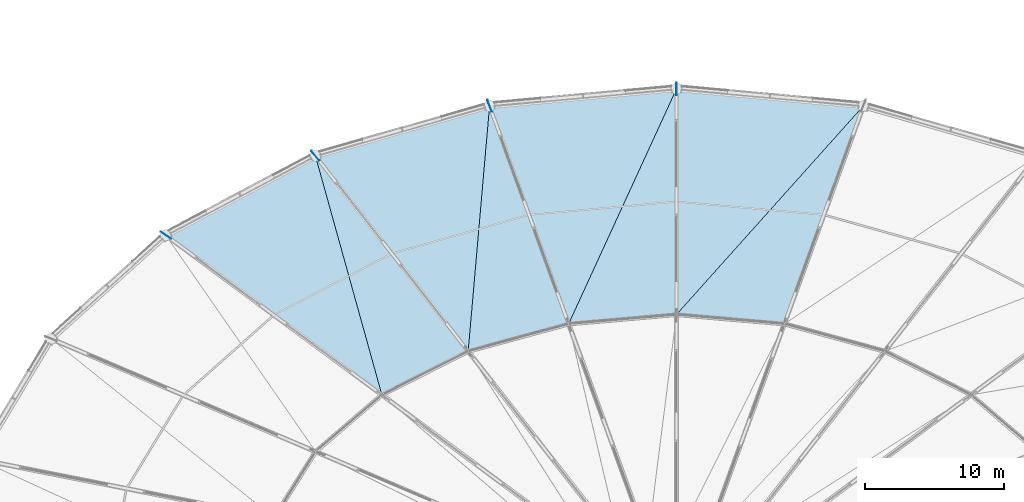
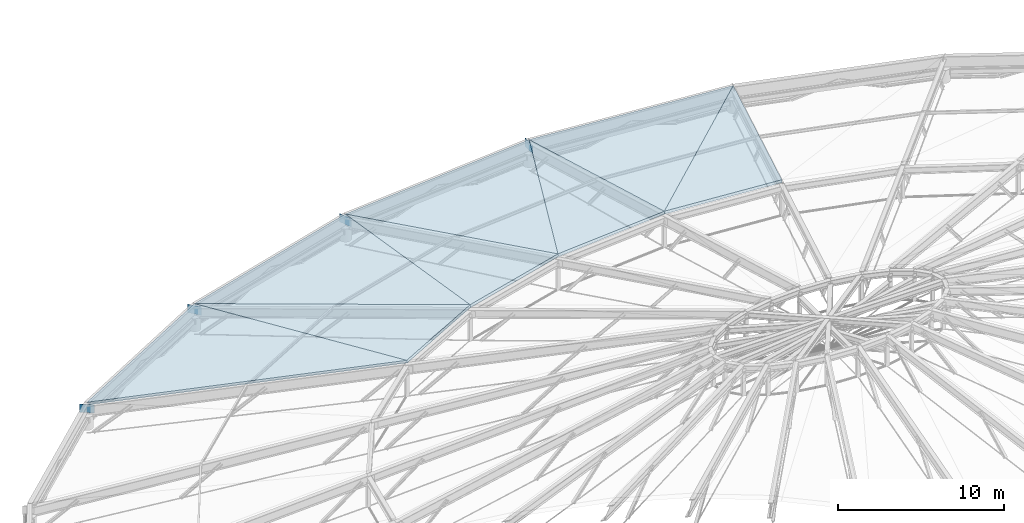
# One storey, part 50 of 83: 8 slabs, 4 plates, 1 element without a shape of its own.
"""IFC4 building model written with IfcOpenShell, lengths in metres."""

from ifc_helpers import new_model, si_unit, direction, frame, origin, origin_2d, place, context, subcontext, project, spatial, polyline, rectangle, outline, extrude, material, layer, layer_set, type_object, element, aggregate, save


model = new_model("IFC4")

# Units and contexts
model_context = context("Model", 3, precision=1e-05, world=origin(), true_north=direction((0.0, 1.0)))
body_context = subcontext(model_context, "Body", "Model", "MODEL_VIEW")
ifc_project = project(units=[si_unit("LENGTHUNIT", "METRE"), si_unit("AREAUNIT", "SQUARE_METRE"), si_unit("VOLUMEUNIT", "CUBIC_METRE"), si_unit("PLANEANGLEUNIT", "RADIAN"), si_unit("MASSUNIT", "GRAM", prefix="KILO")], contexts=[model_context])

# Site, building, storey
site_placement = place(None, origin())
site = spatial("IfcSite", under=ifc_project, at=site_placement, CompositionType="ELEMENT")
building_placement = place(site_placement, origin())
building = spatial("IfcBuilding", under=site, at=building_placement, Name="Kivolera Central Railway Station", CompositionType="ELEMENT")
storey_placement = place(building_placement, frame((0.0, 0.0, 14.39990234375)))
storey = spatial("IfcBuildingStorey", under=building, at=storey_placement, Name="L03", CompositionType="ELEMENT", Elevation=14.39990234375)

# Plates
ifc_material_1 = material(Name="Steel S355", Category="steel")
ifc_layer_1 = layer(ifc_material_1, 0.028076171875, Name="Steel S355")
ifc_layer_set_1 = layer_set([ifc_layer_1], Name="Steel S355")
plate_type = type_object("IfcPlateType", Name="PLT-GUS-900", PredefinedType="SHEET", material=ifc_layer_set_1)
for number, where, z_axis, x_axis, name in (
    (1, (64.0, 126.0, 1.050048828125), (0.0, 0.0, 1.0), (0.0, 1.0, 0.0), "Dome Springing Node Gusset Plate NP-07"),
    (2, (50.541015625, 124.77294921875, 1.050048828125), (0.0, 0.0, 1.0), (-0.360957320631, 0.932582335605, 0.0), "Dome Springing Node Gusset Plate NP-08"),
    (3, (38.0, 121.177001953125, 1.050048828125), (0.0, 0.0, 1.0), (-0.640458269571, 0.767992971933, 0.0), "Dome Springing Node Gusset Plate NP-09"),
    (4, (27.22998046875, 115.4560546875, 1.050048828125), (0.0, 0.0, 1.0), (-0.82219371691, 0.569207775661, 0.0), "Dome Springing Node Gusset Plate NP-10"),
):
    element("IfcPlate", number, at=place(storey_placement, frame(where, z_axis=z_axis, x_axis=x_axis)), inside=storey, type_object=plate_type, Name=name, PredefinedType="SHEET", context=body_context, shape_type="SweptSolid", body=[
        extrude(rectangle(XDim=0.89990234375, YDim=0.028076171875, at=origin_2d()), origin(), (0.0, 0.0, 1.0), 0.60009765625),
    ])

# Roof, slabs
roof_type = type_object("IfcRoofType", Name="ROOF-DOME-MAIN", PredefinedType="DOME_ROOF", material=ifc_material_1)
roof_placement = place(storey_placement, origin())
roof = element("IfcRoof", 5, at=roof_placement, inside=storey, type_object=roof_type, Name="Oval Concourse Radial-Ribbed Cable-Net Dome Roof", PredefinedType="DOME_ROOF")
ifc_material_2 = material(Name="Precast concrete C40/50", Category="concrete")
ifc_layer_2 = layer(ifc_material_2, 0.179931640625, Name="Precast concrete C40/50")
ifc_layer_set_2 = layer_set([ifc_layer_2], Name="Precast concrete C40/50")
slab_type = type_object("IfcSlabType", Name="SLB-DOME-180", PredefinedType="ROOF", material=ifc_layer_set_2)
slab_1_placement = place(storey_placement, frame((77.458984375, 124.77294921875, 1.800048828125), z_axis=(0.024825091498, 0.272295591746, 0.961893354561), x_axis=(-0.995869777974, 0.0907930907, 0.0)))
slab_1 = element("IfcSlab", 6, at=slab_1_placement, type_object=slab_type, Name="Oval Dome Faceted Roof Panel F1A-05", PredefinedType="ROOF", context=body_context, shape_type="SweptSolid", body=[
    extrude(outline(polyline([(0.0, 0.0), (13.51480351415663, 0.0), (12.03941579028584, 16.823989702543454), (0.0, 0.0)])), origin(), (0.0, 0.0, -1.0), 0.179931640625),
])
slab_2_placement = place(storey_placement, frame((77.458984375, 124.77294921875, 1.800048828125), z_axis=(0.023685904805, 0.273242728445, 0.96165346631), x_axis=(-0.650569001934, -0.726166611613, 0.222355629343)))
slab_2 = element("IfcSlab", 7, at=slab_2_placement, type_object=slab_type, Name="Oval Dome Faceted Roof Panel F1B-05", PredefinedType="ROOF", context=body_context, shape_type="SweptSolid", body=[
    extrude(outline(polyline([(0.0, 0.0), (20.68801977190355, -6.661338147750939e-16), (16.125200983257034, 6.318805209638953), (0.0, 0.0)])), origin(), (0.0, 0.0, -1.0), 0.179931640625),
])
slab_3_placement = place(storey_placement, frame((64.0, 126.0, 1.800048828125), z_axis=(-0.024874412473, 0.272836571986, 0.961738773572), x_axis=(-0.995869777974, -0.0907930907, 0.0)))
slab_3 = element("IfcSlab", 8, at=slab_3_placement, type_object=slab_type, Name="Oval Dome Faceted Roof Panel F1A-06", PredefinedType="ROOF", context=body_context, shape_type="SweptSolid", body=[
    extrude(outline(polyline([(0.0, 0.0), (13.51480351415663, 0.0), (9.269322010860428, 16.790631102878883), (0.0, 0.0)])), origin(), (0.0, 0.0, -1.0), 0.179931640625),
])
slab_4_placement = place(storey_placement, frame((64.0, 126.0, 1.800048828125), z_axis=(-0.023604500812, 0.272303644655, 0.961921801733), x_axis=(-0.40485793474, -0.882362441829, 0.239846980235)))
slab_4 = element("IfcSlab", 9, at=slab_4_placement, type_object=slab_type, Name="Oval Dome Faceted Roof Panel F1B-06", PredefinedType="ROOF", context=body_context, shape_type="SweptSolid", body=[
    extrude(outline(polyline([(0.0, 0.0), (19.17930195220841, -1.7763568394002505e-15), (15.441709211357216, 6.8393724184988285), (0.0, 0.0)])), origin(), (0.0, 0.0, -1.0), 0.179931640625),
])
slab_5_placement = place(storey_placement, frame((50.541015625, 124.77294921875, 1.800048828125), z_axis=(-0.073772524697, 0.257284747685, 0.963515528265), x_axis=(-0.961264358362, -0.275628070673, 0.0)))
slab_5 = element("IfcSlab", 10, at=slab_5_placement, type_object=slab_type, Name="Oval Dome Faceted Roof Panel F1A-07", PredefinedType="ROOF", context=body_context, shape_type="SweptSolid", body=[
    extrude(outline(polyline([(0.0, 0.0), (13.04637534503933, 4.440892098500626e-16), (6.35138070329728, 17.186832728034258), (0.0, 0.0)])), origin(), (0.0, 0.0, -1.0), 0.179931640625),
])
slab_6_placement = place(storey_placement, frame((50.541015625, 124.77294921875, 1.800048828125), z_axis=(-0.0700939429, 0.257051602259, 0.963852329429), x_axis=(-0.084103436531, -0.964311455741, 0.251057818619)))
slab_6 = element("IfcSlab", 11, at=slab_6_placement, type_object=slab_type, Name="Oval Dome Faceted Roof Panel F1B-07", PredefinedType="ROOF", context=body_context, shape_type="SweptSolid", body=[
    extrude(outline(polyline([(0.0, 0.0), (18.322861568533632, 1.1102230246251565e-16), (15.811873722964926, 7.0664032857462376), (0.0, 0.0)])), origin(), (0.0, 0.0, -1.0), 0.179931640625),
])
slab_7_placement = place(storey_placement, frame((38.0, 121.177001953125, 1.800048828125), z_axis=(-0.119605435692, 0.225164263649, 0.966951702066), x_axis=(-0.883136972992, -0.469115217122, 0.0)))
slab_7 = element("IfcSlab", 12, at=slab_7_placement, type_object=slab_type, Name="Oval Dome Faceted Roof Panel F1A-08", PredefinedType="ROOF", context=body_context, shape_type="SweptSolid", body=[
    extrude(outline(polyline([(0.0, 0.0), (12.195185866544579, 0.0), (3.846697519694617, 18.042455999727707), (0.0, 0.0)])), origin(), (0.0, 0.0, -1.0), 0.179931640625),
])
slab_8_placement = place(storey_placement, frame((38.0, 121.177001953125, 1.800048828125), z_axis=(-0.114511069519, 0.226653005921, 0.967220569397), x_axis=(0.259492587125, -0.932998133022, 0.249355330814)))
slab_8 = element("IfcSlab", 13, at=slab_8_placement, type_object=slab_type, Name="Oval Dome Faceted Roof Panel F1B-08", PredefinedType="ROOF", context=body_context, shape_type="SweptSolid", body=[
    extrude(outline(polyline([(0.0, 0.0), (18.447961955460958, 4.440892098500626e-16), (17.131558234974833, 6.835194577775406), (0.0, 0.0)])), origin(), (0.0, 0.0, -1.0), 0.179931640625),
])
aggregate(roof, [slab_1, slab_2, slab_3, slab_4, slab_5, slab_6, slab_7, slab_8])

save(model, "model.ifc")
